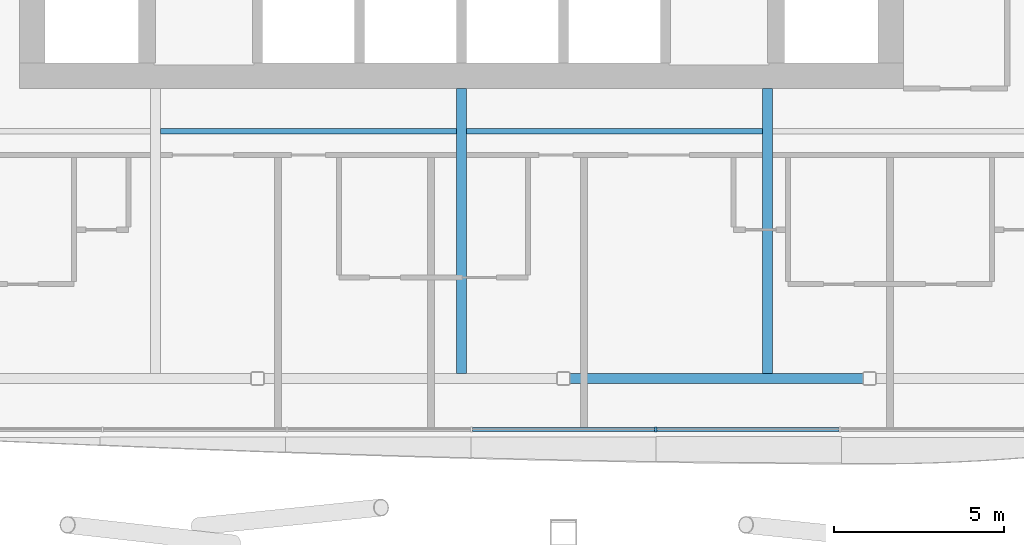
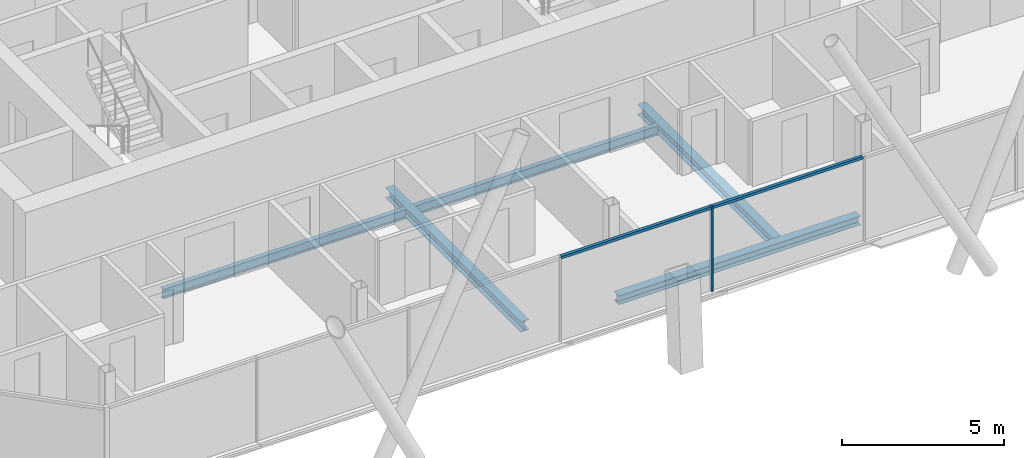
# One storey, part 4 of 23: 5 beams, 3 members, 1 element without a shape of its own.
"""IFC4 building model written with IfcOpenShell, lengths in metres."""

from ifc_helpers import new_model, si_unit, direction, frame, origin, origin_2d, place, context, subcontext, project, spatial, rectangle, i_section, extrude, material, material_profile, profile_set, type_object, element, aggregate, save


model = new_model("IFC4")

# Units and contexts
model_context = context("Model", 3, precision=1e-05, world=origin(), true_north=direction((0.0, 1.0)))
body_context = subcontext(model_context, "Body", "Model", "MODEL_VIEW")
ifc_project = project(units=[si_unit("LENGTHUNIT", "METRE"), si_unit("AREAUNIT", "SQUARE_METRE"), si_unit("VOLUMEUNIT", "CUBIC_METRE"), si_unit("PLANEANGLEUNIT", "RADIAN"), si_unit("MASSUNIT", "GRAM", prefix="KILO")], contexts=[model_context])

# Site, building, storey
site_placement = place(None, origin())
site = spatial("IfcSite", under=ifc_project, at=site_placement, CompositionType="ELEMENT")
building_placement = place(site_placement, origin())
building = spatial("IfcBuilding", under=site, at=building_placement, Name="Tskaro Facet Tower", CompositionType="ELEMENT")
storey_placement = place(building_placement, frame((0.0, 0.0, 141.89990234375)))
storey = spatial("IfcBuildingStorey", under=building, at=storey_placement, Name="L34", CompositionType="ELEMENT", Elevation=141.89990234375)

# Curtain wall, members
ifc_material_1 = material(Name="Bronze anodised aluminium 6063-T6", Category="aluminium")
curtain_wall_type = type_object("IfcCurtainWallType", Name="Bronze hotel curtain wall (FW2)", PredefinedType="NOTDEFINED", material=ifc_material_1)
curtain_wall_placement = place(storey_placement, origin())
curtain_wall = element("IfcCurtainWall", 1, at=curtain_wall_placement, inside=storey, type_object=curtain_wall_type, Name="FW2 south facet L34", PredefinedType="NOTDEFINED")
ifc_material_profile_1 = material_profile(ifc_material_1, rectangle(XDim=0.06005859375, YDim=0.14990234375, at=origin_2d()), Name="Mullion 60x150")
ifc_profile_set_1 = profile_set([ifc_material_profile_1], Name="Bronze anodised aluminium 6063-T6")
member_type_1 = type_object("IfcMemberType", Name="FW2 bronze mullion 60x150", PredefinedType="MULLION", material=ifc_profile_set_1)
member_1_placement = place(storey_placement, frame((5.7119140625, -22.27197265625, 0.0), z_axis=(0.0, 0.0, 1.0), x_axis=(1.0, 0.0, 0.0)))
member_1 = element("IfcMember", 2, at=member_1_placement, type_object=member_type_1, Name="FW2 south mullion 4", PredefinedType="MULLION", context=body_context, shape_type="SweptSolid", body=[
    extrude(rectangle(XDim=0.06005859375, YDim=0.14990234375, at=origin_2d()), origin(), (0.0, 0.0, 1.0), 3.2001953125),
])
ifc_material_profile_2 = material_profile(ifc_material_1, rectangle(XDim=0.110107421875, YDim=0.10009765625, at=origin_2d()), Name="Transom 110x100")
ifc_profile_set_2 = profile_set([ifc_material_profile_2], Name="Bronze anodised aluminium 6063-T6")
member_type_2 = type_object("IfcMemberType", Name="FW2 bronze transom 110x100", PredefinedType="USERDEFINED", material=ifc_profile_set_2)
member_2_placement = place(storey_placement, frame((0.318115234375, -22.27197265625, 3.150146484375), z_axis=(1.0, 0.0, 0.0), x_axis=(0.0, 1.0, 0.0)))
member_2 = element("IfcMember", 3, at=member_2_placement, type_object=member_type_2, Name="FW2 south transom 4.1", ObjectType="TRANSOM", PredefinedType="USERDEFINED", context=body_context, shape_type="SweptSolid", body=[
    extrude(rectangle(XDim=0.110107421875, YDim=0.10009765625, at=origin_2d()), origin(), (0.0, 0.0, 1.0), 5.36376953125),
])
member_3_placement = place(storey_placement, frame((5.741943359375, -22.27197265625, 3.150146484375), z_axis=(1.0, 0.0, 0.0), x_axis=(0.0, 1.0, 0.0)))
member_3 = element("IfcMember", 4, at=member_3_placement, type_object=member_type_2, Name="FW2 south transom 5.1", ObjectType="TRANSOM", PredefinedType="USERDEFINED", context=body_context, shape_type="SweptSolid", body=[
    extrude(rectangle(XDim=0.110107421875, YDim=0.10009765625, at=origin_2d()), origin(), (0.0, 0.0, 1.0), 5.363525390625),
])
aggregate(curtain_wall, [member_1, member_2, member_3])

# Beams
ifc_material_2 = material(Name="Steel S355J2", Category="steel")
ifc_material_profile_3 = material_profile(ifc_material_2, i_section(OverallWidth=0.300048828125, OverallDepth=0.340087890625, WebThickness=0.011962890625, FlangeThickness=0.021484375, FilletRadius=0.027099609375, at=origin_2d()), Name="HE 340 B")
ifc_profile_set_3 = profile_set([ifc_material_profile_3], Name="Steel S355J2")
beam_type_1 = type_object("IfcBeamType", Name="HE 340 B ring beam", PredefinedType="BEAM", material=ifc_profile_set_3)
beam_placement = place(storey_placement, frame((3.179931640625, -20.77392578125, -0.309814453125), z_axis=(1.0, 0.0, 0.0), x_axis=(0.0, 1.0, 0.0)))
element("IfcBeam", 5, at=beam_placement, inside=storey, type_object=beam_type_1, Name="HE 340 B EB3-3", PredefinedType="BEAM", context=body_context, shape_type="SweptSolid", body=[
    extrude(i_section(OverallWidth=0.300048828125, OverallDepth=0.340087890625, WebThickness=0.011962890625, FlangeThickness=0.021484375, FilletRadius=0.027099609375, at=origin_2d()), origin(), (0.0, 0.0, 1.0), 8.64013671875),
])
ifc_material_profile_4 = material_profile(ifc_material_2, i_section(OverallWidth=0.300048828125, OverallDepth=0.389892578125, WebThickness=0.010986328125, FlangeThickness=0.01904296875, FilletRadius=0.027099609375, at=origin_2d()), Name="HE 400 A")
ifc_profile_set_4 = profile_set([ifc_material_profile_4], Name="Steel S355J2")
beam_type_2 = type_object("IfcBeamType", Name="HE 400 A girder", PredefinedType="BEAM", material=ifc_profile_set_4)
for number, where, z_axis, x_axis, name in (
    (6, (0.0, -20.6240234375, -0.3349609375), (0.0, 1.0, 0.0), (-1.0, 0.0, 0.0), "HE 400 A GB4-1-3"),
    (7, (9.0, -20.6240234375, -0.3349609375), (0.0, 1.0, 0.0), (-1.0, 0.0, 0.0), "HE 400 A GB5-1-3"),
):
    element("IfcBeam", number, at=place(storey_placement, frame(where, z_axis=z_axis, x_axis=x_axis)), inside=storey, type_object=beam_type_2, Name=name, PredefinedType="BEAM", context=body_context, shape_type="SweptSolid", body=[
        extrude(i_section(OverallWidth=0.300048828125, OverallDepth=0.389892578125, WebThickness=0.010986328125, FlangeThickness=0.01904296875, FilletRadius=0.027099609375, at=origin_2d()), origin(), (0.0, 0.0, 1.0), 8.3740234375),
    ])
ifc_material_profile_5 = material_profile(ifc_material_2, i_section(OverallWidth=0.169921875, OverallDepth=0.360107421875, WebThickness=0.008056640625, FlangeThickness=0.0126953125, FilletRadius=0.01806640625, at=origin_2d()), Name="IPE 360")
ifc_profile_set_5 = profile_set([ifc_material_profile_5], Name="Steel S355J2")
beam_type_3 = type_object("IfcBeamType", Name="IPE 360 secondary beam", PredefinedType="BEAM", material=ifc_profile_set_5)
for number, where, z_axis, x_axis, name in (
    (8, (-8.85009765625, -13.5, -0.31982421875), (1.0, 0.0, 0.0), (0.0, 1.0, 0.0), "IPE 360 SB2a-2-3"),
    (9, (0.14990234375, -13.5, -0.31982421875), (1.0, 0.0, 0.0), (0.0, 1.0, 0.0), "IPE 360 SB2a-3-3"),
):
    element("IfcBeam", number, at=place(storey_placement, frame(where, z_axis=z_axis, x_axis=x_axis)), inside=storey, type_object=beam_type_3, Name=name, PredefinedType="BEAM", context=body_context, shape_type="SweptSolid", body=[
        extrude(i_section(OverallWidth=0.169921875, OverallDepth=0.360107421875, WebThickness=0.008056640625, FlangeThickness=0.0126953125, FilletRadius=0.01806640625, at=origin_2d()), origin(), (0.0, 0.0, 1.0), 8.7001953125),
    ])

save(model, "model.ifc")
